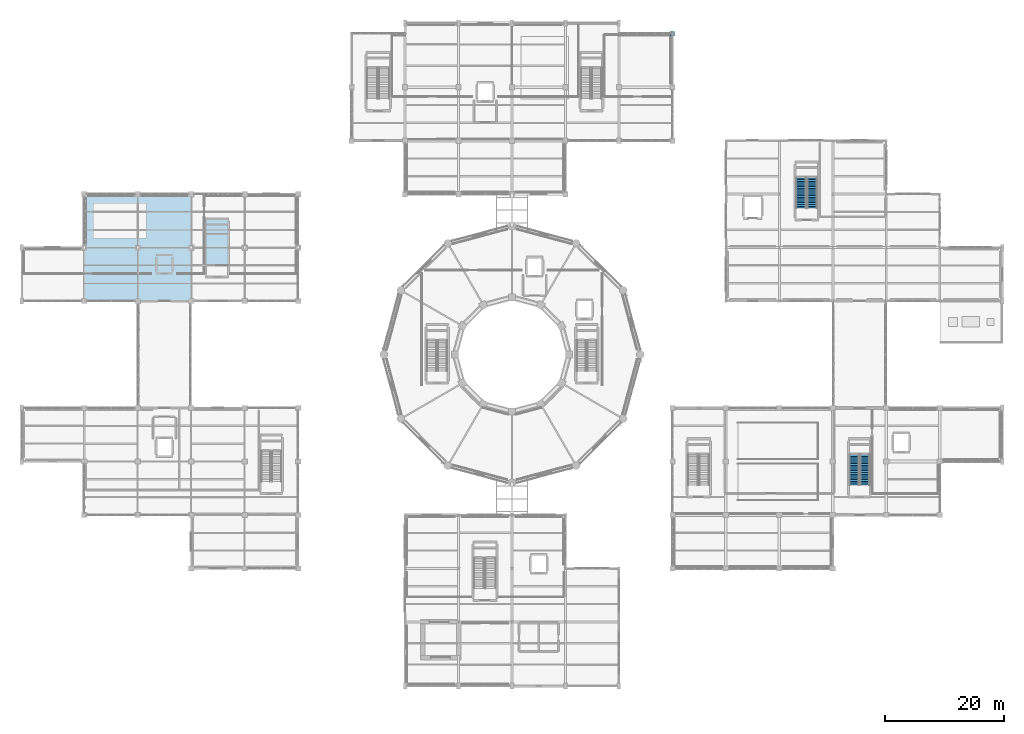
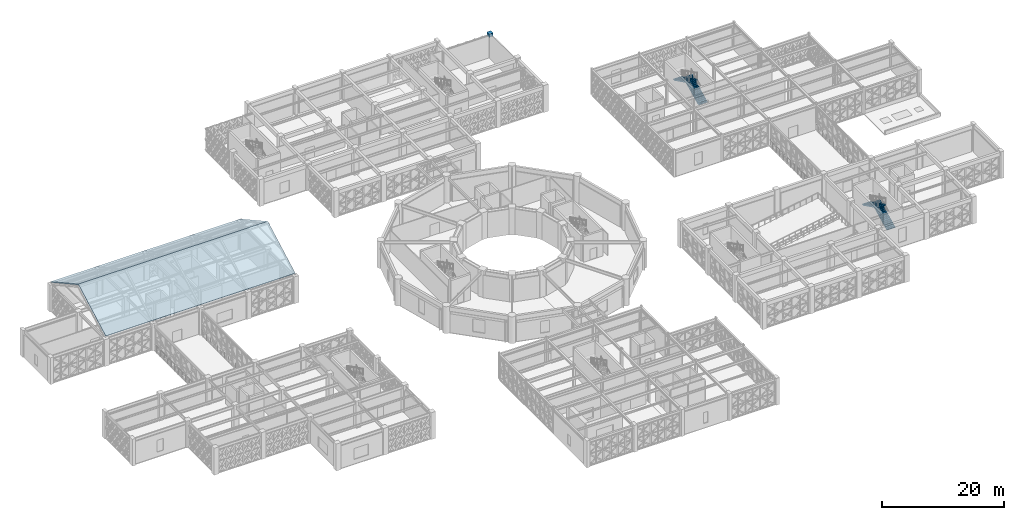
# One storey, part 148 of 166: 4 stair flights, 2 roofs, 1 discrete accessory, 2 elements without a shape of their own.
"""IFC4 building model written with IfcOpenShell, lengths in metres."""

from ifc_helpers import new_model, si_unit, direction, frame, origin, origin_2d, place, context, subcontext, project, spatial, polyline, rectangle, outline, extrude, material, type_object, element, aggregate, save


model = new_model("IFC4")

# Units and contexts
model_context = context("Model", 3, precision=1e-05, world=origin(), true_north=direction((0.0, 1.0)))
body_context = subcontext(model_context, "Body", "Model", "MODEL_VIEW")
ifc_project = project(units=[si_unit("LENGTHUNIT", "METRE"), si_unit("AREAUNIT", "SQUARE_METRE"), si_unit("VOLUMEUNIT", "CUBIC_METRE"), si_unit("PLANEANGLEUNIT", "RADIAN"), si_unit("MASSUNIT", "GRAM", prefix="KILO")], contexts=[model_context])

# Site, building, storey
site_placement = place(None, origin())
site = spatial("IfcSite", under=ifc_project, at=site_placement, CompositionType="ELEMENT")
building_placement = place(site_placement, origin())
building = spatial("IfcBuilding", under=site, at=building_placement, Name="Haizhuo Lancet Aquarium", CompositionType="ELEMENT")
storey_placement = place(building_placement, frame((0.0, 0.0, 5.39990234375)))
storey = spatial("IfcBuildingStorey", under=building, at=storey_placement, Name="L01", CompositionType="ELEMENT", Elevation=5.39990234375)

# Stair, stair flights
ifc_material_1 = material(Name="Concrete C40/50", Category="concrete")
stair_type_1 = type_object("IfcStairType", Name="STR-HT-1600-54", PredefinedType="HALF_TURN_STAIR", material=ifc_material_1)
stair_1_placement = place(storey_placement, origin())
stair_1 = element("IfcStair", 1, at=stair_1_placement, inside=storey, type_object=stair_type_1, Name="L01 enclosed exit stair ST-05", PredefinedType="HALF_TURN_STAIR")
stair_flight_type_1 = type_object("IfcStairFlightType", Name="FLT-STR-1600-54", PredefinedType="STRAIGHT", material=ifc_material_1)
stair_flight_1_placement = place(storey_placement, frame((59.39990234375, -21.949951171875, 0.0), z_axis=(0.0, 0.0, 1.0), x_axis=(0.0, 1.0, 0.0)))
stair_flight_1 = element("IfcStairFlight", 2, at=stair_flight_1_placement, type_object=stair_flight_type_1, Name="ST-15 flight 1", NumberOfRisers=18, NumberOfTreads=17, PredefinedType="STRAIGHT", RiserHeight=0.15, TreadLength=0.3, context=body_context, shape_type="SweptSolid", body=[
    extrude(outline(polyline([(0.0, 0.0), (0.0, 0.14990234375), (0.300048828125, 0.14990234375), (0.300048828125, 0.300048828125), (0.60009765625, 0.300048828125), (0.60009765625, 0.449951171875), (0.89990234375, 0.449951171875), (0.89990234375, 0.60009765625), (1.199951171875, 0.60009765625), (1.199951171875, 0.75), (1.5, 0.75), (1.5, 0.89990234375), (1.800048828125, 0.89990234375), (1.800048828125, 1.050048828125), (2.10009765625, 1.050048828125), (2.10009765625, 1.199951171875), (2.39990234375, 1.199951171875), (2.39990234375, 1.35009765625), (2.699951171875, 1.35009765625), (2.699951171875, 1.5), (3.0, 1.5), (3.0, 1.64990234375), (3.300048828125, 1.64990234375), (3.300048828125, 1.800048828125), (3.60009765625, 1.800048828125), (3.60009765625, 1.949951171875), (3.89990234375, 1.949951171875), (3.89990234375, 2.10009765625), (4.199951171875, 2.10009765625), (4.199951171875, 2.25), (4.5, 2.25), (4.5, 2.39990234375), (4.800048828125, 2.39990234375), (4.800048828125, 2.550048828125), (5.10009765625, 2.550048828125), (5.10009765625, 2.699951171875), (5.10009765625, 2.37109375), (0.357666015625, 0.0), (0.0, 0.0)])), frame((0.0, 0.800048828125, 0.0), z_axis=(0.0, -1.0, 0.0), x_axis=(1.0, 0.0, 0.0)), (0.0, 0.0, 1.0), 1.60009765625),
])
stair_flight_2_placement = place(storey_placement, frame((57.60009765625, -16.85009765625, 2.7001953125), z_axis=(0.0, 0.0, 1.0), x_axis=(0.0, -1.0, 0.0)))
stair_flight_2 = element("IfcStairFlight", 3, at=stair_flight_2_placement, type_object=stair_flight_type_1, Name="ST-15 flight 2", NumberOfRisers=18, NumberOfTreads=17, PredefinedType="STRAIGHT", RiserHeight=0.15, TreadLength=0.3, context=body_context, shape_type="SweptSolid", body=[
    extrude(outline(polyline([(0.0, 0.0), (0.0, 0.14990234375), (0.300048828125, 0.14990234375), (0.300048828125, 0.300048828125), (0.60009765625, 0.300048828125), (0.60009765625, 0.449951171875), (0.89990234375, 0.449951171875), (0.89990234375, 0.60009765625), (1.199951171875, 0.60009765625), (1.199951171875, 0.75), (1.5, 0.75), (1.5, 0.89990234375), (1.800048828125, 0.89990234375), (1.800048828125, 1.050048828125), (2.10009765625, 1.050048828125), (2.10009765625, 1.199951171875), (2.39990234375, 1.199951171875), (2.39990234375, 1.35009765625), (2.699951171875, 1.35009765625), (2.699951171875, 1.5), (3.0, 1.5), (3.0, 1.64990234375), (3.300048828125, 1.64990234375), (3.300048828125, 1.800048828125), (3.60009765625, 1.800048828125), (3.60009765625, 1.949951171875), (3.89990234375, 1.949951171875), (3.89990234375, 2.10009765625), (4.199951171875, 2.10009765625), (4.199951171875, 2.25), (4.5, 2.25), (4.5, 2.39990234375), (4.800048828125, 2.39990234375), (4.800048828125, 2.550048828125), (5.10009765625, 2.550048828125), (5.10009765625, 2.699951171875), (5.10009765625, 2.37109375), (0.357666015625, 0.0), (0.0, 0.0)])), frame((0.0, 0.800048828125, 0.0), z_axis=(0.0, -1.0, 0.0), x_axis=(1.0, 0.0, 0.0)), (0.0, 0.0, 1.0), 1.60009765625),
])
aggregate(stair_1, [stair_flight_1, stair_flight_2])

stair_type_2 = type_object("IfcStairType", Name="STR-HT-1700-54", PredefinedType="HALF_TURN_STAIR", material=ifc_material_1)
stair_2_placement = place(storey_placement, origin())
stair_2 = element("IfcStair", 4, at=stair_2_placement, inside=storey, type_object=stair_type_2, Name="L01 enclosed exit stair ST-10", PredefinedType="HALF_TURN_STAIR")
stair_flight_type_2 = type_object("IfcStairFlightType", Name="FLT-STR-1700-54", PredefinedType="STRAIGHT", material=ifc_material_1)
stair_flight_3_placement = place(storey_placement, frame((50.550048828125, 24.64990234375, 0.0), z_axis=(0.0, 0.0, 1.0), x_axis=(0.0, 1.0, 0.0)))
stair_flight_3 = element("IfcStairFlight", 5, at=stair_flight_3_placement, type_object=stair_flight_type_2, Name="ST-35 flight 1", NumberOfRisers=18, NumberOfTreads=17, PredefinedType="STRAIGHT", RiserHeight=0.15, TreadLength=0.3, context=body_context, shape_type="SweptSolid", body=[
    extrude(outline(polyline([(0.0, 0.0), (0.0, 0.14990234375), (0.300048828125, 0.14990234375), (0.300048828125, 0.300048828125), (0.60009765625, 0.300048828125), (0.60009765625, 0.449951171875), (0.89990234375, 0.449951171875), (0.89990234375, 0.60009765625), (1.199951171875, 0.60009765625), (1.199951171875, 0.75), (1.5, 0.75), (1.5, 0.89990234375), (1.800048828125, 0.89990234375), (1.800048828125, 1.050048828125), (2.10009765625, 1.050048828125), (2.10009765625, 1.199951171875), (2.39990234375, 1.199951171875), (2.39990234375, 1.35009765625), (2.699951171875, 1.35009765625), (2.699951171875, 1.5), (3.0, 1.5), (3.0, 1.64990234375), (3.300048828125, 1.64990234375), (3.300048828125, 1.800048828125), (3.60009765625, 1.800048828125), (3.60009765625, 1.949951171875), (3.89990234375, 1.949951171875), (3.89990234375, 2.10009765625), (4.199951171875, 2.10009765625), (4.199951171875, 2.25), (4.5, 2.25), (4.5, 2.39990234375), (4.800048828125, 2.39990234375), (4.800048828125, 2.550048828125), (5.10009765625, 2.550048828125), (5.10009765625, 2.699951171875), (5.10009765625, 2.37109375), (0.357666015625, 0.0), (0.0, 0.0)])), frame((0.0, 0.85009765625, 0.0), z_axis=(0.0, -1.0, 0.0), x_axis=(1.0, 0.0, 0.0)), (0.0, 0.0, 1.0), 1.699951171875),
])
stair_flight_4_placement = place(storey_placement, frame((48.64990234375, 29.75, 2.7001953125), z_axis=(0.0, 0.0, 1.0), x_axis=(0.0, -1.0, 0.0)))
stair_flight_4 = element("IfcStairFlight", 6, at=stair_flight_4_placement, type_object=stair_flight_type_2, Name="ST-35 flight 2", NumberOfRisers=18, NumberOfTreads=17, PredefinedType="STRAIGHT", RiserHeight=0.15, TreadLength=0.3, context=body_context, shape_type="SweptSolid", body=[
    extrude(outline(polyline([(0.0, 0.0), (0.0, 0.14990234375), (0.300048828125, 0.14990234375), (0.300048828125, 0.300048828125), (0.60009765625, 0.300048828125), (0.60009765625, 0.449951171875), (0.89990234375, 0.449951171875), (0.89990234375, 0.60009765625), (1.199951171875, 0.60009765625), (1.199951171875, 0.75), (1.5, 0.75), (1.5, 0.89990234375), (1.800048828125, 0.89990234375), (1.800048828125, 1.050048828125), (2.10009765625, 1.050048828125), (2.10009765625, 1.199951171875), (2.39990234375, 1.199951171875), (2.39990234375, 1.35009765625), (2.699951171875, 1.35009765625), (2.699951171875, 1.5), (3.0, 1.5), (3.0, 1.64990234375), (3.300048828125, 1.64990234375), (3.300048828125, 1.800048828125), (3.60009765625, 1.800048828125), (3.60009765625, 1.949951171875), (3.89990234375, 1.949951171875), (3.89990234375, 2.10009765625), (4.199951171875, 2.10009765625), (4.199951171875, 2.25), (4.5, 2.25), (4.5, 2.39990234375), (4.800048828125, 2.39990234375), (4.800048828125, 2.550048828125), (5.10009765625, 2.550048828125), (5.10009765625, 2.699951171875), (5.10009765625, 2.37109375), (0.357666015625, 0.0), (0.0, 0.0)])), frame((0.0, 0.85009765625, 0.0), z_axis=(0.0, -1.0, 0.0), x_axis=(1.0, 0.0, 0.0)), (0.0, 0.0, 1.0), 1.699951171875),
])
aggregate(stair_2, [stair_flight_3, stair_flight_4])

# Roofs
ifc_material_2 = material(Name="Standing-Seam Titanium Zinc", Category="steel")
roof_type = type_object("IfcRoofType", Name="RFT-GABLE_ROOF", PredefinedType="GABLE_ROOF", material=ifc_material_2)
for number, where, z_axis, x_axis, name in (
    (7, (-72.0, 9.0, 5.739990234375), (0.0, -0.482006336109, 0.876167730489), (1.0, 0.0, 0.0), "V2 Gothic pitched roof 1 S"),
    (8, (-36.0, 27.0, 5.739990234375), (0.0, 0.482006336109, 0.876167730489), (-1.0, 0.0, 0.0), "V2 Gothic pitched roof 1 N"),
):
    element("IfcRoof", number, at=place(storey_placement, frame(where, z_axis=z_axis, x_axis=x_axis)), inside=storey, type_object=roof_type, material=ifc_material_2, Name=name, PredefinedType="GABLE_ROOF", context=body_context, shape_type="SweptSolid", body=[
        extrude(outline(polyline([(0.0, 0.0), (36.0, 0.0), (36.0, 10.272005789318415), (0.0, 10.272005789318415), (0.0, 0.0)])), origin(), (0.0, 0.0, -1.0), 0.159912109375),
    ])

# Discrete accessory
ifc_material_3 = material(Name="Steel S355", Category="steel")
discrete_accessory_type = type_object("IfcDiscreteAccessoryType", Name="ACC-END-CAP", PredefinedType="BRACKET", material=ifc_material_3)
discrete_accessory_placement = place(storey_placement, frame((27.0, 54.0, 4.09521484375), z_axis=(0.0, 0.0, 1.0), x_axis=(1.0, 0.0, 0.0)))
element("IfcDiscreteAccessory", 9, at=discrete_accessory_placement, inside=storey, type_object=discrete_accessory_type, material=ifc_material_3, Name="L01 welded Steel S355 brace end-cap bracket EC-V5-L01-E", PredefinedType="BRACKET", context=body_context, shape_type="SweptSolid", body=[
    extrude(rectangle(XDim=0.75, YDim=0.75, at=origin_2d()), origin(), (0.0, 0.0, 1.0), 0.64990234375),
])

save(model, "model.ifc")
